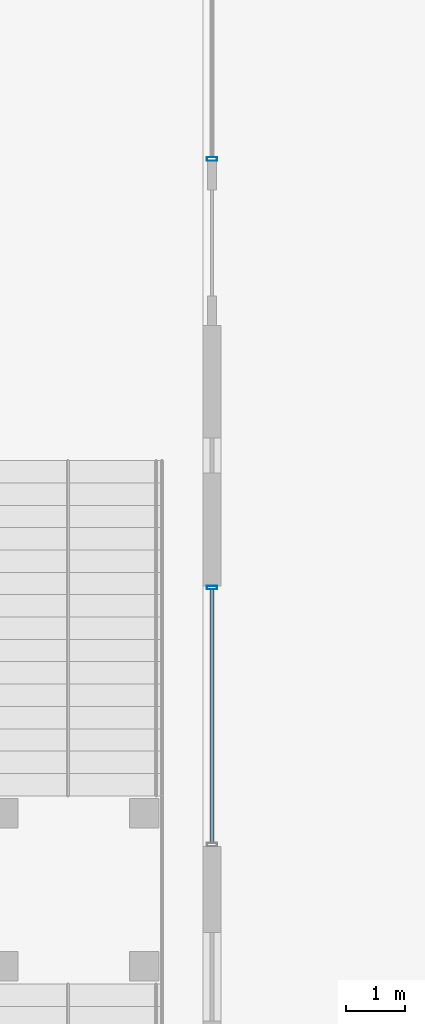
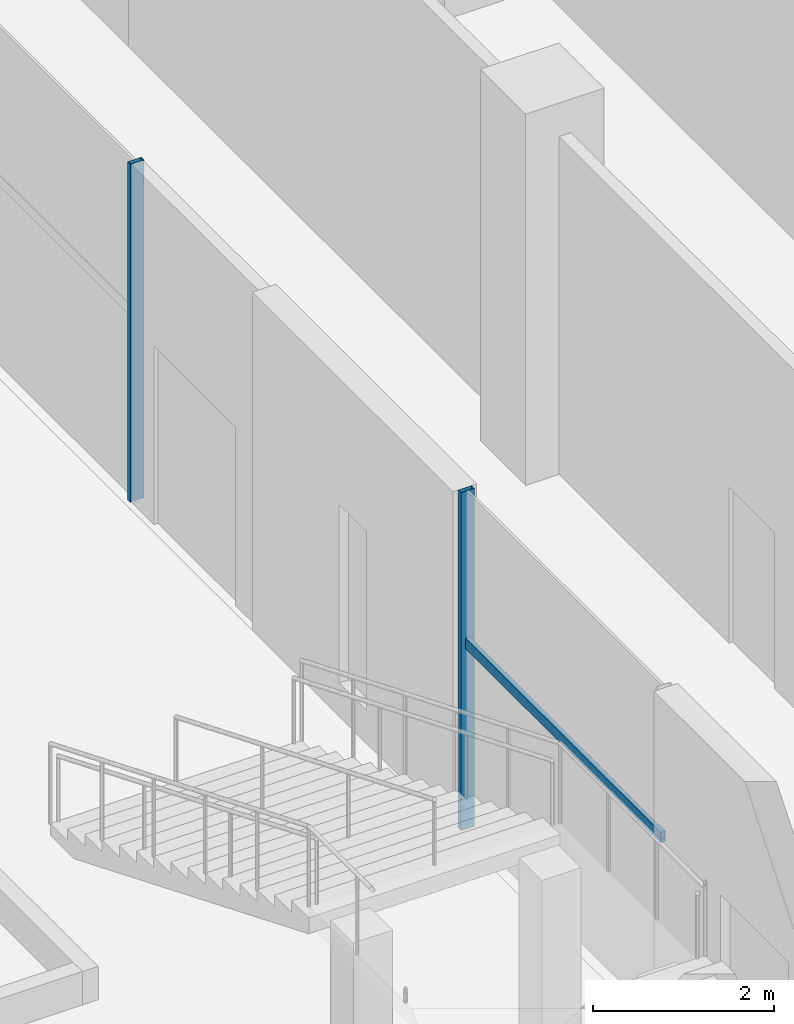
# One storey, part 7 of 49: 3 members, 2 elements without a shape of their own.
"""IFC4 building model written with IfcOpenShell, lengths in metres."""

from ifc_helpers import new_model, si_unit, direction, frame, origin, origin_2d, place, context, subcontext, project, spatial, hollow_rectangle, extrude, material, material_profile, profile_set, type_object, element, aggregate, save


model = new_model("IFC4")

# Units and contexts
model_context = context("Model", 3, precision=1e-05, world=origin(), true_north=direction((0.0, 1.0)))
body_context = subcontext(model_context, "Body", "Model", "MODEL_VIEW")
ifc_project = project(units=[si_unit("LENGTHUNIT", "METRE"), si_unit("AREAUNIT", "SQUARE_METRE"), si_unit("VOLUMEUNIT", "CUBIC_METRE"), si_unit("PLANEANGLEUNIT", "RADIAN"), si_unit("MASSUNIT", "GRAM", prefix="KILO")], contexts=[model_context])

# Site, building, storey
site_placement = place(None, origin())
site = spatial("IfcSite", under=ifc_project, at=site_placement, CompositionType="ELEMENT")
building_placement = place(site_placement, origin())
building = spatial("IfcBuilding", under=site, at=building_placement, Name="Altepetl Exchange Towers", CompositionType="ELEMENT")
storey_placement = place(building_placement, frame((0.0, 0.0, 11.5)))
storey = spatial("IfcBuildingStorey", under=building, at=storey_placement, Name="L02 Exchange podium", CompositionType="ELEMENT", Elevation=11.5)

# Curtain wall, member
ifc_material_1 = material(Name="Aluminium 6063-T6 glazing", Category="aluminium")
curtain_wall_type = type_object("IfcCurtainWallType", Name="Podium storefront system", PredefinedType="NOTDEFINED", material=ifc_material_1)
curtain_wall_1_placement = place(storey_placement, origin())
curtain_wall_1 = element("IfcCurtainWall", 1, at=curtain_wall_1_placement, inside=storey, type_object=curtain_wall_type, Name="CW5 run", PredefinedType="NOTDEFINED")
ifc_material_2 = material(Name="Aluminium 6063-T6", Category="aluminium")
ifc_material_profile_1 = material_profile(ifc_material_2, hollow_rectangle(XDim=0.06005859375, YDim=0.175048828125, WallThickness=0.0029296875, at=origin_2d()), Name="Mullion 60x175 aluminium")
ifc_profile_set_1 = profile_set([ifc_material_profile_1], Name="Aluminium 6063-T6")
member_type_1 = type_object("IfcMemberType", Name="Mullion 60x175 aluminium", PredefinedType="MULLION", material=ifc_profile_set_1)
member_1_placement = place(storey_placement, frame((18.14990234375, 50.929931640625, 0.0), z_axis=(0.0, 0.0, 1.0), x_axis=(0.0, -1.0, 0.0)))
member_1 = element("IfcMember", 2, at=member_1_placement, type_object=member_type_1, Name="MU4 mullion", PredefinedType="MULLION", context=body_context, shape_type="SweptSolid", body=[
    extrude(hollow_rectangle(XDim=0.06005859375, YDim=0.175048828125, WallThickness=0.0029296875, at=origin_2d()), origin(), (0.0, 0.0, 1.0), 4.550048828125),
])
aggregate(curtain_wall_1, [member_1])

# Curtain wall, members
curtain_wall_2_placement = place(storey_placement, origin())
curtain_wall_2 = element("IfcCurtainWall", 3, at=curtain_wall_2_placement, inside=storey, type_object=curtain_wall_type, Name="CW5 run", PredefinedType="NOTDEFINED")
member_2_placement = place(storey_placement, frame((18.14990234375, 43.639892578125, 0.0), z_axis=(0.0, 0.0, 1.0), x_axis=(0.0, -1.0, 0.0)))
member_2 = element("IfcMember", 4, at=member_2_placement, type_object=member_type_1, Name="MU4 mullion", PredefinedType="MULLION", context=body_context, shape_type="SweptSolid", body=[
    extrude(hollow_rectangle(XDim=0.06005859375, YDim=0.175048828125, WallThickness=0.0029296875, at=origin_2d()), origin(), (0.0, 0.0, 1.0), 4.550048828125),
])
ifc_material_profile_2 = material_profile(ifc_material_2, hollow_rectangle(XDim=0.06005859375, YDim=0.139892578125, WallThickness=0.0029296875, at=origin_2d()), Name="Transom 60x140 aluminium")
ifc_profile_set_2 = profile_set([ifc_material_profile_2], Name="Aluminium 6063-T6")
member_type_2 = type_object("IfcMemberType", Name="Transom 60x140 aluminium", PredefinedType="USERDEFINED", material=ifc_profile_set_2)
member_3_placement = place(storey_placement, frame((18.14990234375, 43.610107421875, 2.5), z_axis=(0.0, -1.0, 0.0), x_axis=(1.0, 0.0, 0.0)))
member_3 = element("IfcMember", 5, at=member_3_placement, type_object=member_type_2, Name="TR3 transom", ObjectType="TRANSOM", PredefinedType="USERDEFINED", context=body_context, shape_type="SweptSolid", body=[
    extrude(hollow_rectangle(XDim=0.06005859375, YDim=0.139892578125, WallThickness=0.0029296875, at=origin_2d()), origin(), (0.0, 0.0, 1.0), 4.31005859375),
])
aggregate(curtain_wall_2, [member_2, member_3])

save(model, "model.ifc")
